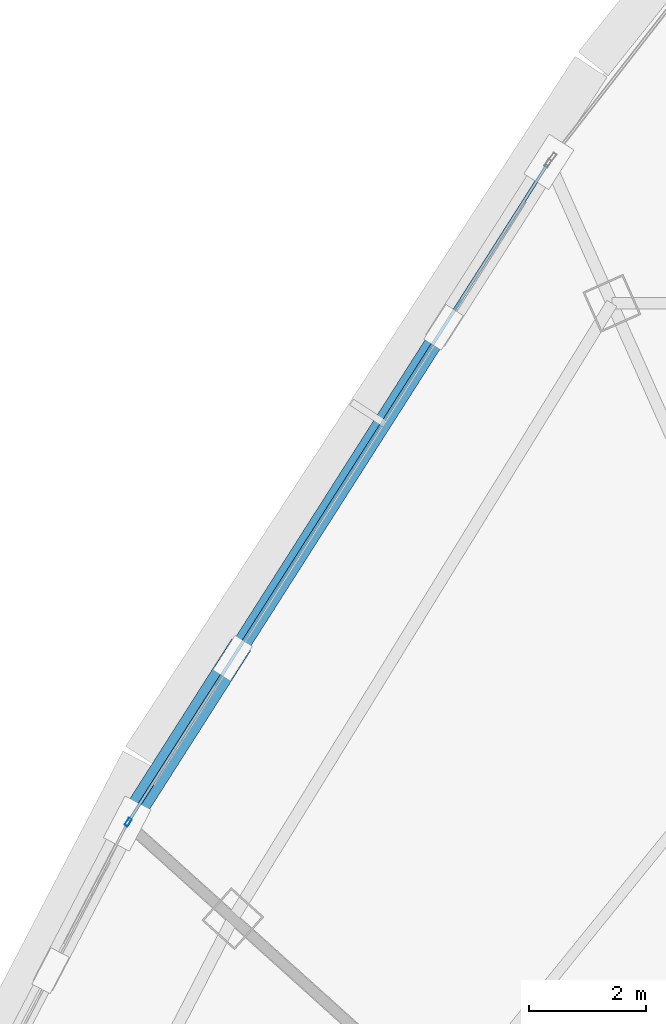
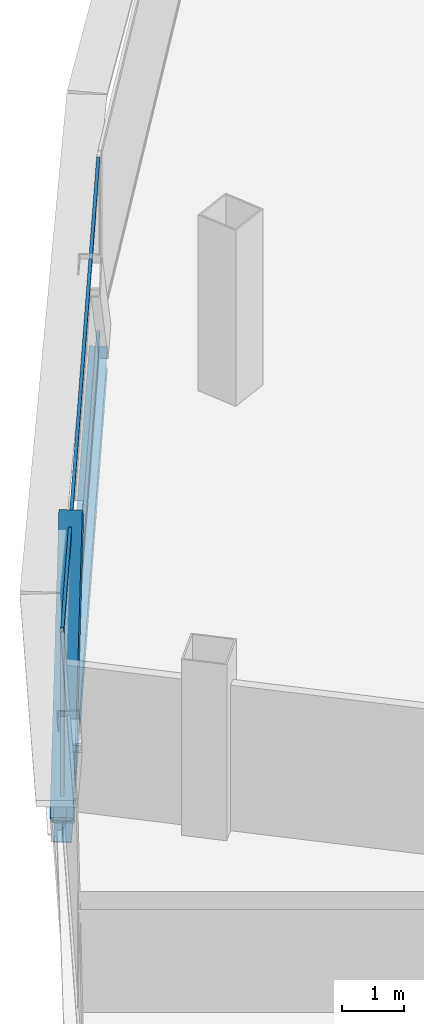
# One storey, part 20 of 40: 4 members, 1 beam, 1 element without a shape of its own.
"""IFC4 building model written with IfcOpenShell, lengths in metres."""

from ifc_helpers import new_model, si_unit, direction, frame, origin, origin_2d, place, context, subcontext, project, spatial, hollow_rectangle, i_section, extrude, source, transform, mapped, material, layer, layer_set, material_profile, profile_set, type_object, element, aggregate, save


model = new_model("IFC4")

# Units and contexts
model_context = context("Model", 3, precision=1e-05, world=origin(), true_north=direction((0.0, 1.0)))
body_context = subcontext(model_context, "Body", "Model", "MODEL_VIEW")
ifc_project = project(units=[si_unit("LENGTHUNIT", "METRE"), si_unit("AREAUNIT", "SQUARE_METRE"), si_unit("VOLUMEUNIT", "CUBIC_METRE"), si_unit("PLANEANGLEUNIT", "RADIAN"), si_unit("MASSUNIT", "GRAM", prefix="KILO"), si_unit("THERMODYNAMICTEMPERATUREUNIT", "KELVIN"), si_unit("POWERUNIT", "WATT")], contexts=[model_context])

# Site, building, storey
site_placement = place(None, origin())
site = spatial("IfcSite", under=ifc_project, at=site_placement, CompositionType="ELEMENT")
building_placement = place(site_placement, origin())
building = spatial("IfcBuilding", under=site, at=building_placement, Name="Yunzhuo Pagoda Commons", CompositionType="ELEMENT")
storey_placement = place(building_placement, frame((0.0, 0.0, 288.75)))
storey = spatial("IfcBuildingStorey", under=building, at=storey_placement, Name="L72", CompositionType="ELEMENT", Elevation=288.75)

# Beam
ifc_material_1 = material(Name="Structural steel Q355B", Category="steel")
ifc_material_profile_1 = material_profile(ifc_material_1, i_section(OverallWidth=0.300048828125, OverallDepth=0.43994140625, WebThickness=0.010986328125, FlangeThickness=0.01806640625, at=origin_2d()), Name="Structural steel Q355B")
ifc_profile_set_1 = profile_set([ifc_material_profile_1], Name="Structural steel Q355B")
beam_type = type_object("IfcBeamType", Name="B-SP2 Beam HM 440x300x11x18", PredefinedType="BEAM", material=ifc_profile_set_1)
shared_shape_1 = source(origin(), body_context, "Body", "SweptSolid", [
    extrude(i_section(OverallWidth=0.300048828125, OverallDepth=0.43994140625, WebThickness=0.010986328125, FlangeThickness=0.01806640625, at=origin_2d()), origin(), (0.0, 0.0, 1.0), 13.37060546875),
])
beam_placement = place(storey_placement, frame((34.8125, 63.319580078125, -0.479736328125), z_axis=(-0.537394066708, -0.843331261763, 0.0), x_axis=(0.843331261763, -0.537394066708, 0.0)))
element("IfcBeam", 1, at=beam_placement, inside=storey, type_object=beam_type, Name="L72 facade edge spandrel beam F3.1", PredefinedType="BEAM", context=body_context, shape_type="MappedRepresentation", body=[
    mapped(shared_shape_1, transform((0.0, 0.0, 0.0), scale=1.0)),
])

# Member
ifc_material_profile_2 = material_profile(ifc_material_1, hollow_rectangle(XDim=0.3798828125, YDim=0.719970703125, WallThickness=0.02001953125, at=origin_2d()), Name="Structural steel Q355B")
ifc_profile_set_2 = profile_set([ifc_material_profile_2], Name="Structural steel Q355B")
member_type_1 = type_object("IfcMemberType", Name="M-DL3 Brace BOX 720x380x20", PredefinedType="BRACE", material=ifc_profile_set_2)
shared_shape_2 = source(origin(), body_context, "Body", "SweptSolid", [
    extrude(hollow_rectangle(XDim=0.3798828125, YDim=0.719970703125, WallThickness=0.02001953125, at=origin_2d()), origin(), (0.0, 0.0, 1.0), 5.0087890625),
])
member_1_placement = place(storey_placement, frame((27.627197265625, 52.043701171875, -0.260009765625), z_axis=(0.358653555732, 0.562839441158, 0.744700873128), x_axis=(-0.84333353284, 0.537390502696, 0.0)))
element("IfcMember", 2, at=member_1_placement, inside=storey, type_object=member_type_1, Name="L72 facade diamond brace F3.1R", PredefinedType="BRACE", context=body_context, shape_type="MappedRepresentation", body=[
    mapped(shared_shape_2, transform((0.0, 0.0, 0.0), scale=1.0)),
])

# Curtain wall, members
ifc_material_2 = material(Name="Anodized aluminium 6063-T6", Category="aluminium")
ifc_layer = layer(ifc_material_2, 0.139892578125)
ifc_layer_set = layer_set([ifc_layer], Name="Anodized aluminium 6063-T6")
curtain_wall_type = type_object("IfcCurtainWallType", Name="CW-HI High-Zone Ribbon Curtain Wall", PredefinedType="NOTDEFINED", material=ifc_layer_set)
curtain_wall_placement = place(storey_placement, origin())
curtain_wall = element("IfcCurtainWall", 3, at=curtain_wall_placement, inside=storey, type_object=curtain_wall_type, Name="L72 curtain wall CW-L72-F3B2", PredefinedType="NOTDEFINED")
ifc_material_profile_3 = material_profile(ifc_material_2, hollow_rectangle(XDim=0.06005859375, YDim=0.139892578125, WallThickness=0.00341796875, at=origin_2d()), Name="Anodized aluminium 6063-T6")
ifc_profile_set_3 = profile_set([ifc_material_profile_3], Name="Anodized aluminium 6063-T6")
member_type_2 = type_object("IfcMemberType", Name="CW-HI-M Mullion RHS 140x60x3.5", PredefinedType="MULLION", material=ifc_profile_set_3)
shared_shape_3 = source(origin(), body_context, "Body", "SweptSolid", [
    extrude(hollow_rectangle(XDim=0.06005859375, YDim=0.139892578125, WallThickness=0.00341796875, at=origin_2d()), origin(), (0.0, 0.0, 1.0), 3.469970703125),
])
member_2_placement = place(storey_placement, frame((27.6435546875, 52.069091796875, 0.0), z_axis=(0.0, 0.0, 1.0), x_axis=(0.84332965014, -0.537396595816, 0.0)))
member_2 = element("IfcMember", 4, at=member_2_placement, type_object=member_type_2, Name="CW mullion 2", PredefinedType="MULLION", context=body_context, shape_type="MappedRepresentation", body=[
    mapped(shared_shape_3, transform((0.0, 0.0, 0.0), scale=1.0)),
])
ifc_material_profile_4 = material_profile(ifc_material_2, hollow_rectangle(XDim=0.054931640625, YDim=0.1201171875, WallThickness=0.00341796875, at=origin_2d()), Name="Anodized aluminium 6063-T6")
ifc_profile_set_4 = profile_set([ifc_material_profile_4], Name="Anodized aluminium 6063-T6")
member_type_3 = type_object("IfcMemberType", Name="CW-HI-T Transom RHS 120x55x3.5", PredefinedType="USERDEFINED", material=ifc_profile_set_4)
shared_shape_4 = source(origin(), body_context, "Body", "SweptSolid", [
    extrude(hollow_rectangle(XDim=0.054931640625, YDim=0.1201171875, WallThickness=0.00341796875, at=origin_2d()), origin(), (0.0, 0.0, 1.0), 13.25048828125),
])
member_3_placement = place(storey_placement, frame((34.7802734375, 63.26904296875, 0.027587890625), z_axis=(-0.537399957032, -0.843327508256, 0.0), x_axis=(0.843327508256, -0.537399957032, 0.0)))
member_3 = element("IfcMember", 5, at=member_3_placement, type_object=member_type_3, Name="CW transom 1.1", ObjectType="TRANSOM", PredefinedType="USERDEFINED", context=body_context, shape_type="MappedRepresentation", body=[
    mapped(shared_shape_4, transform((0.0, 0.0, 0.0), scale=1.0)),
])
member_4_placement = place(storey_placement, frame((34.7802734375, 63.26904296875, 3.4423828125), z_axis=(-0.537399957032, -0.843327508256, 0.0), x_axis=(0.843327508256, -0.537399957032, 0.0)))
member_4 = element("IfcMember", 6, at=member_4_placement, type_object=member_type_3, Name="CW transom 1.2", ObjectType="TRANSOM", PredefinedType="USERDEFINED", context=body_context, shape_type="MappedRepresentation", body=[
    mapped(shared_shape_4, transform((0.0, 0.0, 0.0), scale=1.0)),
])
aggregate(curtain_wall, [member_2, member_3, member_4])

save(model, "model.ifc")
